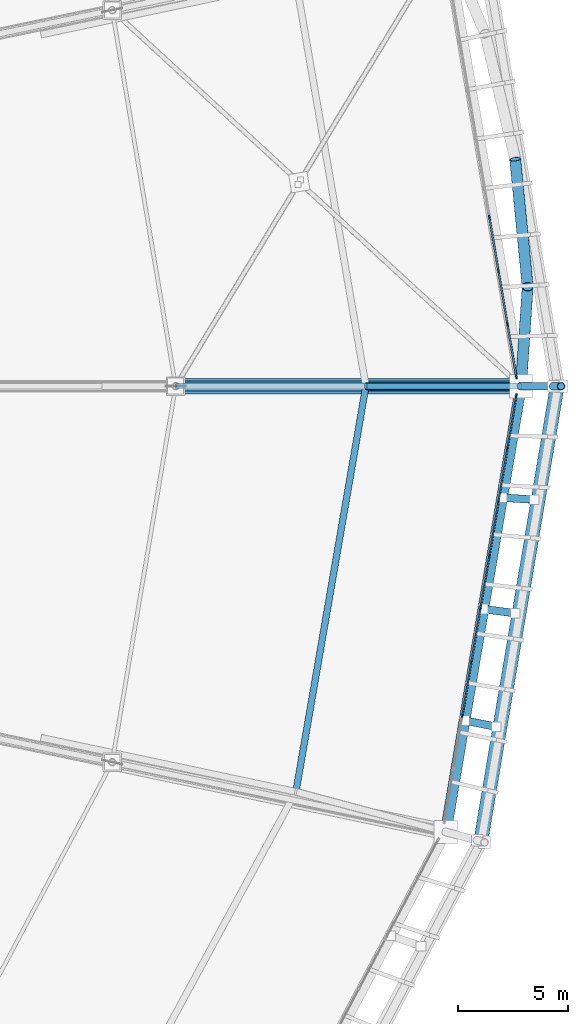
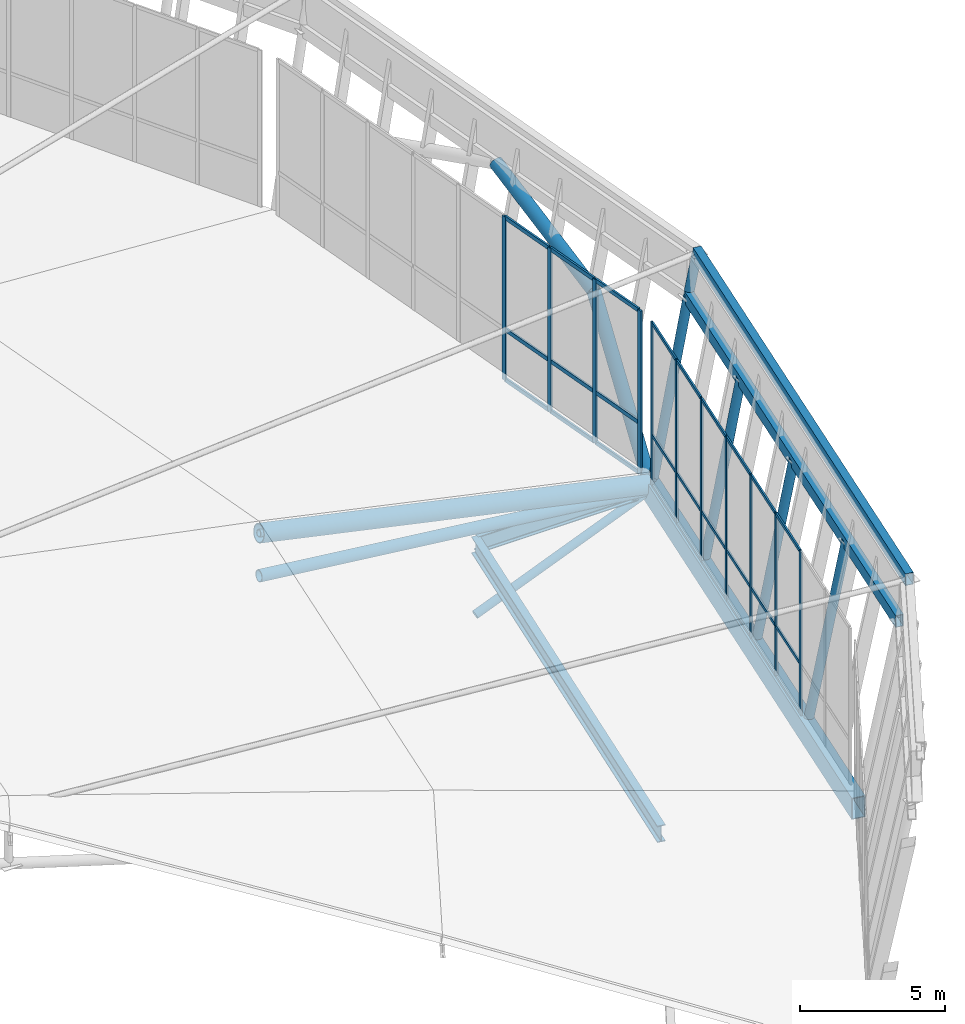
# One storey, part 59 of 115: 49 members, 5 beams, 2 elements without a shape of their own.
"""IFC4 building model written with IfcOpenShell, lengths in metres."""

from ifc_helpers import new_model, si_unit, direction, frame, origin, origin_2d, place, context, subcontext, project, spatial, rectangle, hollow_rectangle, hollow_circle, i_section, extrude, material, material_profile, profile_set, type_object, element, aggregate, save


model = new_model("IFC4")

# Units and contexts
model_context = context("Model", 3, precision=1e-05, world=origin(), true_north=direction((0.0, 1.0)))
body_context = subcontext(model_context, "Body", "Model", "MODEL_VIEW")
ifc_project = project(units=[si_unit("LENGTHUNIT", "METRE"), si_unit("AREAUNIT", "SQUARE_METRE"), si_unit("VOLUMEUNIT", "CUBIC_METRE"), si_unit("PLANEANGLEUNIT", "RADIAN"), si_unit("MASSUNIT", "GRAM", prefix="KILO")], contexts=[model_context])

# Site, building, storey
site_placement = place(None, origin())
site = spatial("IfcSite", under=ifc_project, at=site_placement, CompositionType="ELEMENT")
building_placement = place(site_placement, origin())
building = spatial("IfcBuilding", under=site, at=building_placement, Name="Zlatoyarsky Gate Stadium", CompositionType="ELEMENT")
storey_placement = place(building_placement, frame((0.0, 0.0, 31.800048828125)))
storey = spatial("IfcBuildingStorey", under=building, at=storey_placement, Name="RF", CompositionType="ELEMENT", Elevation=31.800048828125)

# Curtain wall, members
ifc_material_1 = material(Name="Thermally broken anodised aluminium curtain wall", Category="aluminium")
curtain_wall_type_1 = type_object("IfcCurtainWallType", Name="MONUMENTAL ARCHED GATE GLAZING UPPER", PredefinedType="USERDEFINED", material=ifc_material_1)
curtain_wall_1_placement = place(storey_placement, origin())
curtain_wall_1 = element("IfcCurtainWall", 1, at=curtain_wall_1_placement, inside=storey, type_object=curtain_wall_type_1, Name="Curtain wall CW-RF-00", ObjectType="ARCHED GATE GLAZING", PredefinedType="USERDEFINED")
ifc_material_2 = material(Name="Anodised aluminium 6063-T6", Category="aluminium")
ifc_material_profile_1 = material_profile(ifc_material_2, rectangle(XDim=0.074951171875, YDim=0.18994140625, at=origin_2d()), Name="ALU 75X190")
ifc_profile_set_1 = profile_set([ifc_material_profile_1], Name="Anodised aluminium 6063-T6")
member_type_1 = type_object("IfcMemberType", Name="ALUMINIUM GATE MULLION 75X190", PredefinedType="MULLION", material=ifc_profile_set_1)
member_1_placement = place(storey_placement, frame((210.814697265625, 80.431396484375, 0.0), z_axis=(0.0, 0.0, 1.0), x_axis=(-0.986044463486, -0.166482179311, 0.0)))
member_1 = element("IfcMember", 2, at=member_1_placement, type_object=member_type_1, Name="CW-AG2 mullion 1", PredefinedType="MULLION", context=body_context, shape_type="SweptSolid", body=[
    extrude(rectangle(XDim=0.074951171875, YDim=0.18994140625, at=origin_2d()), origin(), (0.0, 0.0, 1.0), 6.89990234375),
])
member_2_placement = place(storey_placement, frame((210.412109375, 82.815673828125, 0.0), z_axis=(0.0, 0.0, 1.0), x_axis=(-0.986044463486, -0.166482179311, 0.0)))
member_2 = element("IfcMember", 3, at=member_2_placement, type_object=member_type_1, Name="CW-AG2 mullion 2", PredefinedType="MULLION", context=body_context, shape_type="SweptSolid", body=[
    extrude(rectangle(XDim=0.074951171875, YDim=0.18994140625, at=origin_2d()), origin(), (0.0, 0.0, 1.0), 6.89990234375),
])
member_3_placement = place(storey_placement, frame((210.00341796875, 85.23681640625, 0.0), z_axis=(0.0, 0.0, 1.0), x_axis=(-0.986044463486, -0.166482179311, 0.0)))
member_3 = element("IfcMember", 4, at=member_3_placement, type_object=member_type_1, Name="CW-AG2 mullion 3", PredefinedType="MULLION", context=body_context, shape_type="SweptSolid", body=[
    extrude(rectangle(XDim=0.074951171875, YDim=0.18994140625, at=origin_2d()), origin(), (0.0, 0.0, 1.0), 6.89990234375),
])
member_4_placement = place(storey_placement, frame((209.594482421875, 87.658203125, 0.0), z_axis=(0.0, 0.0, 1.0), x_axis=(-0.986044463486, -0.166482179311, 0.0)))
member_4 = element("IfcMember", 5, at=member_4_placement, type_object=member_type_1, Name="CW-AG2 mullion 4", PredefinedType="MULLION", context=body_context, shape_type="SweptSolid", body=[
    extrude(rectangle(XDim=0.074951171875, YDim=0.18994140625, at=origin_2d()), origin(), (0.0, 0.0, 1.0), 6.89990234375),
])
ifc_material_profile_2 = material_profile(ifc_material_2, rectangle(XDim=0.074951171875, YDim=0.169921875, at=origin_2d()), Name="ALU 75X170")
ifc_profile_set_2 = profile_set([ifc_material_profile_2], Name="Anodised aluminium 6063-T6")
member_type_2 = type_object("IfcMemberType", Name="ALUMINIUM GATE TRANSOM 75X170", PredefinedType="USERDEFINED", material=ifc_profile_set_2)
member_5_placement = place(storey_placement, frame((210.80859375, 80.46826171875, 0.037353515625), z_axis=(-0.166510761943, 0.986039637214, 0.0), x_axis=(-0.986039637214, -0.166510761943, 0.0)))
member_5 = element("IfcMember", 6, at=member_5_placement, type_object=member_type_2, Name="CW-AG2 transom 1.1", ObjectType="TRANSOM", PredefinedType="USERDEFINED", context=body_context, shape_type="SweptSolid", body=[
    extrude(rectangle(XDim=0.074951171875, YDim=0.169921875, at=origin_2d()), origin(), (0.0, 0.0, 1.0), 2.343017578125),
])
member_6_placement = place(storey_placement, frame((210.80859375, 80.46826171875, 2.14990234375), z_axis=(-0.166510761943, 0.986039637214, 0.0), x_axis=(-0.986039637214, -0.166510761943, 0.0)))
member_6 = element("IfcMember", 7, at=member_6_placement, type_object=member_type_2, Name="CW-AG2 transom 1.2", ObjectType="TRANSOM", PredefinedType="USERDEFINED", context=body_context, shape_type="SweptSolid", body=[
    extrude(rectangle(XDim=0.074951171875, YDim=0.169921875, at=origin_2d()), origin(), (0.0, 0.0, 1.0), 2.343017578125),
])
member_7_placement = place(storey_placement, frame((210.80859375, 80.46826171875, 6.862548828125), z_axis=(-0.166510761943, 0.986039637214, 0.0), x_axis=(-0.986039637214, -0.166510761943, 0.0)))
member_7 = element("IfcMember", 8, at=member_7_placement, type_object=member_type_2, Name="CW-AG2 transom 1.3", ObjectType="TRANSOM", PredefinedType="USERDEFINED", context=body_context, shape_type="SweptSolid", body=[
    extrude(rectangle(XDim=0.074951171875, YDim=0.169921875, at=origin_2d()), origin(), (0.0, 0.0, 1.0), 2.343017578125),
])
member_8_placement = place(storey_placement, frame((210.406005859375, 82.8525390625, 0.037353515625), z_axis=(-0.166543868002, 0.986034046081, 0.0), x_axis=(-0.986034046081, -0.166543868002, 0.0)))
member_8 = element("IfcMember", 9, at=member_8_placement, type_object=member_type_2, Name="CW-AG2 transom 2.1", ObjectType="TRANSOM", PredefinedType="USERDEFINED", context=body_context, shape_type="SweptSolid", body=[
    extrude(rectangle(XDim=0.074951171875, YDim=0.169921875, at=origin_2d()), origin(), (0.0, 0.0, 1.0), 2.380615234375),
])
member_9_placement = place(storey_placement, frame((210.406005859375, 82.8525390625, 2.14990234375), z_axis=(-0.166543868002, 0.986034046081, 0.0), x_axis=(-0.986034046081, -0.166543868002, 0.0)))
member_9 = element("IfcMember", 10, at=member_9_placement, type_object=member_type_2, Name="CW-AG2 transom 2.2", ObjectType="TRANSOM", PredefinedType="USERDEFINED", context=body_context, shape_type="SweptSolid", body=[
    extrude(rectangle(XDim=0.074951171875, YDim=0.169921875, at=origin_2d()), origin(), (0.0, 0.0, 1.0), 2.380615234375),
])
member_10_placement = place(storey_placement, frame((210.406005859375, 82.8525390625, 6.862548828125), z_axis=(-0.166543868002, 0.986034046081, 0.0), x_axis=(-0.986034046081, -0.166543868002, 0.0)))
member_10 = element("IfcMember", 11, at=member_10_placement, type_object=member_type_2, Name="CW-AG2 transom 2.3", ObjectType="TRANSOM", PredefinedType="USERDEFINED", context=body_context, shape_type="SweptSolid", body=[
    extrude(rectangle(XDim=0.074951171875, YDim=0.169921875, at=origin_2d()), origin(), (0.0, 0.0, 1.0), 2.380615234375),
])
member_11_placement = place(storey_placement, frame((209.9970703125, 85.27392578125, 0.037353515625), z_axis=(-0.166460991253, 0.98604804061, 0.0), x_axis=(-0.98604804061, -0.166460991253, 0.0)))
member_11 = element("IfcMember", 12, at=member_11_placement, type_object=member_type_2, Name="CW-AG2 transom 3.1", ObjectType="TRANSOM", PredefinedType="USERDEFINED", context=body_context, shape_type="SweptSolid", body=[
    extrude(rectangle(XDim=0.074951171875, YDim=0.169921875, at=origin_2d()), origin(), (0.0, 0.0, 1.0), 2.38037109375),
])
member_12_placement = place(storey_placement, frame((209.9970703125, 85.27392578125, 2.14990234375), z_axis=(-0.166460991253, 0.98604804061, 0.0), x_axis=(-0.98604804061, -0.166460991253, 0.0)))
member_12 = element("IfcMember", 13, at=member_12_placement, type_object=member_type_2, Name="CW-AG2 transom 3.2", ObjectType="TRANSOM", PredefinedType="USERDEFINED", context=body_context, shape_type="SweptSolid", body=[
    extrude(rectangle(XDim=0.074951171875, YDim=0.169921875, at=origin_2d()), origin(), (0.0, 0.0, 1.0), 2.38037109375),
])
member_13_placement = place(storey_placement, frame((209.9970703125, 85.27392578125, 6.862548828125), z_axis=(-0.166460991253, 0.98604804061, 0.0), x_axis=(-0.98604804061, -0.166460991253, 0.0)))
member_13 = element("IfcMember", 14, at=member_13_placement, type_object=member_type_2, Name="CW-AG2 transom 3.3", ObjectType="TRANSOM", PredefinedType="USERDEFINED", context=body_context, shape_type="SweptSolid", body=[
    extrude(rectangle(XDim=0.074951171875, YDim=0.169921875, at=origin_2d()), origin(), (0.0, 0.0, 1.0), 2.38037109375),
])
aggregate(curtain_wall_1, [member_1, member_2, member_3, member_4, member_5, member_6, member_7, member_8, member_9, member_10, member_11, member_12, member_13])

curtain_wall_type_2 = type_object("IfcCurtainWallType", Name="UNITISED SKYBOX RING GLAZING L05", PredefinedType="USERDEFINED", material=ifc_material_1)
curtain_wall_2_placement = place(storey_placement, origin())
curtain_wall_2 = element("IfcCurtainWall", 15, at=curtain_wall_2_placement, inside=storey, type_object=curtain_wall_type_2, Name="Curtain wall CW-RF-23", ObjectType="UNITISED GLAZING", PredefinedType="USERDEFINED")
ifc_material_profile_3 = material_profile(ifc_material_2, rectangle(XDim=0.06494140625, YDim=0.159912109375, at=origin_2d()), Name="ALU 65X160")
ifc_profile_set_3 = profile_set([ifc_material_profile_3], Name="Anodised aluminium 6063-T6")
member_type_3 = type_object("IfcMemberType", Name="ALUMINIUM MULLION 65X160", PredefinedType="MULLION", material=ifc_profile_set_3)
member_14_placement = place(storey_placement, frame((208.3681640625, 65.078125, 0.0), z_axis=(0.0, 0.0, 1.0), x_axis=(-0.986044463486, 0.166482179311, 0.0)))
member_14 = element("IfcMember", 16, at=member_14_placement, type_object=member_type_3, Name="CW-UG5 mullion 3", PredefinedType="MULLION", context=body_context, shape_type="SweptSolid", body=[
    extrude(rectangle(XDim=0.06494140625, YDim=0.159912109375, at=origin_2d()), origin(), (0.0, 0.0, 1.0), 6.89990234375),
])
member_15_placement = place(storey_placement, frame((208.777099609375, 67.499267578125, 0.0), z_axis=(0.0, 0.0, 1.0), x_axis=(-0.986044463486, 0.166482179311, 0.0)))
member_15 = element("IfcMember", 17, at=member_15_placement, type_object=member_type_3, Name="CW-UG5 mullion 4", PredefinedType="MULLION", context=body_context, shape_type="SweptSolid", body=[
    extrude(rectangle(XDim=0.06494140625, YDim=0.159912109375, at=origin_2d()), origin(), (0.0, 0.0, 1.0), 6.89990234375),
])
member_16_placement = place(storey_placement, frame((209.185791015625, 69.920654296875, 0.0), z_axis=(0.0, 0.0, 1.0), x_axis=(-0.986044463486, 0.166482179311, 0.0)))
member_16 = element("IfcMember", 18, at=member_16_placement, type_object=member_type_3, Name="CW-UG5 mullion 5", PredefinedType="MULLION", context=body_context, shape_type="SweptSolid", body=[
    extrude(rectangle(XDim=0.06494140625, YDim=0.159912109375, at=origin_2d()), origin(), (0.0, 0.0, 1.0), 6.89990234375),
])
member_17_placement = place(storey_placement, frame((209.594482421875, 72.341796875, 0.0), z_axis=(0.0, 0.0, 1.0), x_axis=(-0.986044463486, 0.166482179311, 0.0)))
member_17 = element("IfcMember", 19, at=member_17_placement, type_object=member_type_3, Name="CW-UG5 mullion 6", PredefinedType="MULLION", context=body_context, shape_type="SweptSolid", body=[
    extrude(rectangle(XDim=0.06494140625, YDim=0.159912109375, at=origin_2d()), origin(), (0.0, 0.0, 1.0), 6.89990234375),
])
member_18_placement = place(storey_placement, frame((210.00341796875, 74.76318359375, 0.0), z_axis=(0.0, 0.0, 1.0), x_axis=(-0.986044463486, 0.166482179311, 0.0)))
member_18 = element("IfcMember", 20, at=member_18_placement, type_object=member_type_3, Name="CW-UG5 mullion 7", PredefinedType="MULLION", context=body_context, shape_type="SweptSolid", body=[
    extrude(rectangle(XDim=0.06494140625, YDim=0.159912109375, at=origin_2d()), origin(), (0.0, 0.0, 1.0), 6.89990234375),
])
member_19_placement = place(storey_placement, frame((210.412109375, 77.184326171875, 0.0), z_axis=(0.0, 0.0, 1.0), x_axis=(-0.986044463486, 0.166482179311, 0.0)))
member_19 = element("IfcMember", 21, at=member_19_placement, type_object=member_type_3, Name="CW-UG5 mullion 8", PredefinedType="MULLION", context=body_context, shape_type="SweptSolid", body=[
    extrude(rectangle(XDim=0.06494140625, YDim=0.159912109375, at=origin_2d()), origin(), (0.0, 0.0, 1.0), 6.89990234375),
])
member_20_placement = place(storey_placement, frame((210.815673828125, 79.573486328125, 0.0), z_axis=(0.0, 0.0, 1.0), x_axis=(-0.986044463486, 0.166482179311, 0.0)))
member_20 = element("IfcMember", 22, at=member_20_placement, type_object=member_type_3, Name="CW-UG5 mullion 9", PredefinedType="MULLION", context=body_context, shape_type="SweptSolid", body=[
    extrude(rectangle(XDim=0.06494140625, YDim=0.159912109375, at=origin_2d()), origin(), (0.0, 0.0, 1.0), 6.89990234375),
])
ifc_material_profile_4 = material_profile(ifc_material_2, rectangle(XDim=0.06494140625, YDim=0.139892578125, at=origin_2d()), Name="ALU 65X140")
ifc_profile_set_4 = profile_set([ifc_material_profile_4], Name="Anodised aluminium 6063-T6")
member_type_4 = type_object("IfcMemberType", Name="ALUMINIUM TRANSOM 65X140", PredefinedType="USERDEFINED", material=ifc_profile_set_4)
member_21_placement = place(storey_placement, frame((208.37353515625, 65.110107421875, 0.032470703125), z_axis=(0.166468789266, 0.986046724147, 0.0), x_axis=(-0.986046724147, 0.166468789266, 0.0)))
member_21 = element("IfcMember", 23, at=member_21_placement, type_object=member_type_4, Name="CW-UG5 transom 3.1", ObjectType="TRANSOM", PredefinedType="USERDEFINED", context=body_context, shape_type="SweptSolid", body=[
    extrude(rectangle(XDim=0.06494140625, YDim=0.139892578125, at=origin_2d()), origin(), (0.0, 0.0, 1.0), 2.390625),
])
member_22_placement = place(storey_placement, frame((208.37353515625, 65.110107421875, 2.14990234375), z_axis=(0.166468789266, 0.986046724147, 0.0), x_axis=(-0.986046724147, 0.166468789266, 0.0)))
member_22 = element("IfcMember", 24, at=member_22_placement, type_object=member_type_4, Name="CW-UG5 transom 3.2", ObjectType="TRANSOM", PredefinedType="USERDEFINED", context=body_context, shape_type="SweptSolid", body=[
    extrude(rectangle(XDim=0.06494140625, YDim=0.139892578125, at=origin_2d()), origin(), (0.0, 0.0, 1.0), 2.390625),
])
member_23_placement = place(storey_placement, frame((208.37353515625, 65.110107421875, 6.867431640625), z_axis=(0.166468789266, 0.986046724147, 0.0), x_axis=(-0.986046724147, 0.166468789266, 0.0)))
member_23 = element("IfcMember", 25, at=member_23_placement, type_object=member_type_4, Name="CW-UG5 transom 3.3", ObjectType="TRANSOM", PredefinedType="USERDEFINED", context=body_context, shape_type="SweptSolid", body=[
    extrude(rectangle(XDim=0.06494140625, YDim=0.139892578125, at=origin_2d()), origin(), (0.0, 0.0, 1.0), 2.390625),
])
member_24_placement = place(storey_placement, frame((208.782470703125, 67.531494140625, 0.032470703125), z_axis=(0.166468789266, 0.986046724147, 0.0), x_axis=(-0.986046724147, 0.166468789266, 0.0)))
member_24 = element("IfcMember", 26, at=member_24_placement, type_object=member_type_4, Name="CW-UG5 transom 4.1", ObjectType="TRANSOM", PredefinedType="USERDEFINED", context=body_context, shape_type="SweptSolid", body=[
    extrude(rectangle(XDim=0.06494140625, YDim=0.139892578125, at=origin_2d()), origin(), (0.0, 0.0, 1.0), 2.390625),
])
member_25_placement = place(storey_placement, frame((208.782470703125, 67.531494140625, 2.14990234375), z_axis=(0.166468789266, 0.986046724147, 0.0), x_axis=(-0.986046724147, 0.166468789266, 0.0)))
member_25 = element("IfcMember", 27, at=member_25_placement, type_object=member_type_4, Name="CW-UG5 transom 4.2", ObjectType="TRANSOM", PredefinedType="USERDEFINED", context=body_context, shape_type="SweptSolid", body=[
    extrude(rectangle(XDim=0.06494140625, YDim=0.139892578125, at=origin_2d()), origin(), (0.0, 0.0, 1.0), 2.390625),
])
member_26_placement = place(storey_placement, frame((208.782470703125, 67.531494140625, 6.867431640625), z_axis=(0.166468789266, 0.986046724147, 0.0), x_axis=(-0.986046724147, 0.166468789266, 0.0)))
member_26 = element("IfcMember", 28, at=member_26_placement, type_object=member_type_4, Name="CW-UG5 transom 4.3", ObjectType="TRANSOM", PredefinedType="USERDEFINED", context=body_context, shape_type="SweptSolid", body=[
    extrude(rectangle(XDim=0.06494140625, YDim=0.139892578125, at=origin_2d()), origin(), (0.0, 0.0, 1.0), 2.390625),
])
member_27_placement = place(storey_placement, frame((209.191162109375, 69.95263671875, 0.032470703125), z_axis=(0.166468789266, 0.986046724147, 0.0), x_axis=(-0.986046724147, 0.166468789266, 0.0)))
member_27 = element("IfcMember", 29, at=member_27_placement, type_object=member_type_4, Name="CW-UG5 transom 5.1", ObjectType="TRANSOM", PredefinedType="USERDEFINED", context=body_context, shape_type="SweptSolid", body=[
    extrude(rectangle(XDim=0.06494140625, YDim=0.139892578125, at=origin_2d()), origin(), (0.0, 0.0, 1.0), 2.390625),
])
member_28_placement = place(storey_placement, frame((209.191162109375, 69.95263671875, 2.14990234375), z_axis=(0.166468789266, 0.986046724147, 0.0), x_axis=(-0.986046724147, 0.166468789266, 0.0)))
member_28 = element("IfcMember", 30, at=member_28_placement, type_object=member_type_4, Name="CW-UG5 transom 5.2", ObjectType="TRANSOM", PredefinedType="USERDEFINED", context=body_context, shape_type="SweptSolid", body=[
    extrude(rectangle(XDim=0.06494140625, YDim=0.139892578125, at=origin_2d()), origin(), (0.0, 0.0, 1.0), 2.390625),
])
member_29_placement = place(storey_placement, frame((209.191162109375, 69.95263671875, 6.867431640625), z_axis=(0.166468789266, 0.986046724147, 0.0), x_axis=(-0.986046724147, 0.166468789266, 0.0)))
member_29 = element("IfcMember", 31, at=member_29_placement, type_object=member_type_4, Name="CW-UG5 transom 5.3", ObjectType="TRANSOM", PredefinedType="USERDEFINED", context=body_context, shape_type="SweptSolid", body=[
    extrude(rectangle(XDim=0.06494140625, YDim=0.139892578125, at=origin_2d()), origin(), (0.0, 0.0, 1.0), 2.390625),
])
member_30_placement = place(storey_placement, frame((209.60009765625, 72.373779296875, 0.032470703125), z_axis=(0.166468789266, 0.986046724147, 0.0), x_axis=(-0.986046724147, 0.166468789266, 0.0)))
member_30 = element("IfcMember", 32, at=member_30_placement, type_object=member_type_4, Name="CW-UG5 transom 6.1", ObjectType="TRANSOM", PredefinedType="USERDEFINED", context=body_context, shape_type="SweptSolid", body=[
    extrude(rectangle(XDim=0.06494140625, YDim=0.139892578125, at=origin_2d()), origin(), (0.0, 0.0, 1.0), 2.390625),
])
member_31_placement = place(storey_placement, frame((209.60009765625, 72.373779296875, 2.14990234375), z_axis=(0.166468789266, 0.986046724147, 0.0), x_axis=(-0.986046724147, 0.166468789266, 0.0)))
member_31 = element("IfcMember", 33, at=member_31_placement, type_object=member_type_4, Name="CW-UG5 transom 6.2", ObjectType="TRANSOM", PredefinedType="USERDEFINED", context=body_context, shape_type="SweptSolid", body=[
    extrude(rectangle(XDim=0.06494140625, YDim=0.139892578125, at=origin_2d()), origin(), (0.0, 0.0, 1.0), 2.390625),
])
member_32_placement = place(storey_placement, frame((209.60009765625, 72.373779296875, 6.867431640625), z_axis=(0.166468789266, 0.986046724147, 0.0), x_axis=(-0.986046724147, 0.166468789266, 0.0)))
member_32 = element("IfcMember", 34, at=member_32_placement, type_object=member_type_4, Name="CW-UG5 transom 6.3", ObjectType="TRANSOM", PredefinedType="USERDEFINED", context=body_context, shape_type="SweptSolid", body=[
    extrude(rectangle(XDim=0.06494140625, YDim=0.139892578125, at=origin_2d()), origin(), (0.0, 0.0, 1.0), 2.390625),
])
member_33_placement = place(storey_placement, frame((210.0087890625, 74.795166015625, 0.032470703125), z_axis=(0.166468789266, 0.986046724147, 0.0), x_axis=(-0.986046724147, 0.166468789266, 0.0)))
member_33 = element("IfcMember", 35, at=member_33_placement, type_object=member_type_4, Name="CW-UG5 transom 7.1", ObjectType="TRANSOM", PredefinedType="USERDEFINED", context=body_context, shape_type="SweptSolid", body=[
    extrude(rectangle(XDim=0.06494140625, YDim=0.139892578125, at=origin_2d()), origin(), (0.0, 0.0, 1.0), 2.390625),
])
member_34_placement = place(storey_placement, frame((210.0087890625, 74.795166015625, 2.14990234375), z_axis=(0.166468789266, 0.986046724147, 0.0), x_axis=(-0.986046724147, 0.166468789266, 0.0)))
member_34 = element("IfcMember", 36, at=member_34_placement, type_object=member_type_4, Name="CW-UG5 transom 7.2", ObjectType="TRANSOM", PredefinedType="USERDEFINED", context=body_context, shape_type="SweptSolid", body=[
    extrude(rectangle(XDim=0.06494140625, YDim=0.139892578125, at=origin_2d()), origin(), (0.0, 0.0, 1.0), 2.390625),
])
member_35_placement = place(storey_placement, frame((210.0087890625, 74.795166015625, 6.867431640625), z_axis=(0.166468789266, 0.986046724147, 0.0), x_axis=(-0.986046724147, 0.166468789266, 0.0)))
member_35 = element("IfcMember", 37, at=member_35_placement, type_object=member_type_4, Name="CW-UG5 transom 7.3", ObjectType="TRANSOM", PredefinedType="USERDEFINED", context=body_context, shape_type="SweptSolid", body=[
    extrude(rectangle(XDim=0.06494140625, YDim=0.139892578125, at=origin_2d()), origin(), (0.0, 0.0, 1.0), 2.390625),
])
member_36_placement = place(storey_placement, frame((210.417724609375, 77.21630859375, 0.032470703125), z_axis=(0.166379800687, 0.986061743464, 0.0), x_axis=(-0.986061743464, 0.166379800687, 0.0)))
member_36 = element("IfcMember", 38, at=member_36_placement, type_object=member_type_4, Name="CW-UG5 transom 8.1", ObjectType="TRANSOM", PredefinedType="USERDEFINED", context=body_context, shape_type="SweptSolid", body=[
    extrude(rectangle(XDim=0.06494140625, YDim=0.139892578125, at=origin_2d()), origin(), (0.0, 0.0, 1.0), 2.358154296875),
])
member_37_placement = place(storey_placement, frame((210.417724609375, 77.21630859375, 2.14990234375), z_axis=(0.166379800687, 0.986061743464, 0.0), x_axis=(-0.986061743464, 0.166379800687, 0.0)))
member_37 = element("IfcMember", 39, at=member_37_placement, type_object=member_type_4, Name="CW-UG5 transom 8.2", ObjectType="TRANSOM", PredefinedType="USERDEFINED", context=body_context, shape_type="SweptSolid", body=[
    extrude(rectangle(XDim=0.06494140625, YDim=0.139892578125, at=origin_2d()), origin(), (0.0, 0.0, 1.0), 2.358154296875),
])
member_38_placement = place(storey_placement, frame((210.417724609375, 77.21630859375, 6.867431640625), z_axis=(0.166379800687, 0.986061743464, 0.0), x_axis=(-0.986061743464, 0.166379800687, 0.0)))
member_38 = element("IfcMember", 40, at=member_38_placement, type_object=member_type_4, Name="CW-UG5 transom 8.3", ObjectType="TRANSOM", PredefinedType="USERDEFINED", context=body_context, shape_type="SweptSolid", body=[
    extrude(rectangle(XDim=0.06494140625, YDim=0.139892578125, at=origin_2d()), origin(), (0.0, 0.0, 1.0), 2.358154296875),
])
aggregate(curtain_wall_2, [member_14, member_15, member_16, member_17, member_18, member_19, member_20, member_21, member_22, member_23, member_24, member_25, member_26, member_27, member_28, member_29, member_30, member_31, member_32, member_33, member_34, member_35, member_36, member_37, member_38])

# Members
ifc_material_3 = material(Name="Steel S355", Category="steel")
ifc_material_profile_5 = material_profile(ifc_material_3, hollow_circle(Radius=0.228515625, WallThickness=0.02490234375, at=origin_2d()), Name="CHS 457X25")
ifc_profile_set_5 = profile_set([ifc_material_profile_5], Name="Steel S355")
member_type_5 = type_object("IfcMemberType", Name="STEEL ARCH BOTTOM CHORD CHS 457X25", PredefinedType="CHORD", material=ifc_profile_set_5)
member_39_placement = place(storey_placement, frame((211.027587890625, 80.0, -0.449951171875), z_axis=(-0.99344724285, 0.0, 0.114291625561), x_axis=(0.0, -1.0, 0.0)))
element("IfcMember", 41, at=member_39_placement, inside=storey, type_object=member_type_5, Name="Radial truss R01 bottom chord 1", PredefinedType="CHORD", context=body_context, shape_type="SweptSolid", body=[
    extrude(hollow_circle(Radius=0.228515625, WallThickness=0.02490234375, at=origin_2d()), origin(), (0.0, 0.0, 1.0), 15.74755859375),
])
ifc_material_profile_6 = material_profile(ifc_material_3, hollow_circle(Radius=0.25390625, WallThickness=0.02490234375, at=origin_2d()), Name="CHS 508X25")
ifc_profile_set_6 = profile_set([ifc_material_profile_6], Name="Steel S355")
member_type_6 = type_object("IfcMemberType", Name="STEEL ARCH TOP CHORD CHS 508X25", PredefinedType="CHORD", material=ifc_profile_set_6)
member_40_placement = place(storey_placement, frame((211.027587890625, 80.0, -0.449951171875), z_axis=(0.042754597563, 0.632946474041, 0.773014104261), x_axis=(-0.997726376343, 0.067394940091, 0.0)))
element("IfcMember", 42, at=member_40_placement, inside=storey, type_object=member_type_6, Name="Monumental gate portal arch chord 00-1", PredefinedType="CHORD", context=body_context, shape_type="SweptSolid", body=[
    extrude(hollow_circle(Radius=0.25390625, WallThickness=0.02490234375, at=origin_2d()), origin(), (0.0, 0.0, 1.0), 7.114990234375),
])
member_41_placement = place(storey_placement, frame((211.331787109375, 84.50341796875, 5.050048828125), z_axis=(-0.09154052463, 0.936028532383, 0.339810121856), x_axis=(-0.995251931912, -0.097332379125, 0.0)))
element("IfcMember", 43, at=member_41_placement, inside=storey, type_object=member_type_6, Name="Monumental gate portal arch chord 00-2", PredefinedType="CHORD", context=body_context, shape_type="SweptSolid", body=[
    extrude(hollow_circle(Radius=0.25390625, WallThickness=0.02490234375, at=origin_2d()), origin(), (0.0, 0.0, 1.0), 6.179443359375),
])
ifc_material_profile_7 = material_profile(ifc_material_3, hollow_circle(Radius=0.35546875, WallThickness=0.031982421875, at=origin_2d()), Name="CHS 711X32")
ifc_profile_set_7 = profile_set([ifc_material_profile_7], Name="Steel S355")
member_type_7 = type_object("IfcMemberType", Name="STEEL ARCH TOP CHORD CHS 711X32", PredefinedType="CHORD", material=ifc_profile_set_7)
member_42_placement = place(storey_placement, frame((211.027587890625, 80.0, -0.25), z_axis=(-0.977189712419, 0.0, 0.21236823195), x_axis=(0.0, -1.0, 0.0)))
element("IfcMember", 44, at=member_42_placement, inside=storey, type_object=member_type_7, Name="Radial truss R01 top chord 1", PredefinedType="CHORD", context=body_context, shape_type="SweptSolid", body=[
    extrude(hollow_circle(Radius=0.35546875, WallThickness=0.031982421875, at=origin_2d()), origin(), (0.0, 0.0, 1.0), 16.009521484375),
])
ifc_material_profile_8 = material_profile(ifc_material_3, hollow_circle(Radius=0.177734375, WallThickness=0.02001953125, at=origin_2d()), Name="CHS 355.6X20")
ifc_profile_set_8 = profile_set([ifc_material_profile_8], Name="Steel S355")
member_type_8 = type_object("IfcMemberType", Name="STEEL LEANING RIB RING STRUT CHS 355.6X20", PredefinedType="STRUT", material=ifc_profile_set_8)
member_43_placement = place(storey_placement, frame((211.027587890625, 80.0, -0.449951171875), z_axis=(0.189627638022, 0.0, 0.981856078506), x_axis=(0.0, 1.0, 0.0)))
element("IfcMember", 45, at=member_43_placement, inside=storey, type_object=member_type_8, Name="Outward-leaning crown fascia lower post 00", PredefinedType="STRUT", context=body_context, shape_type="SweptSolid", body=[
    extrude(hollow_circle(Radius=0.177734375, WallThickness=0.02001953125, at=origin_2d()), origin(), (0.0, 0.0, 1.0), 7.740234375),
])
member_44_placement = place(storey_placement, frame((212.495361328125, 80.0, 7.14990234375), z_axis=(0.201037606768, 0.0, 0.979583524088), x_axis=(0.0, 1.0, 0.0)))
element("IfcMember", 46, at=member_44_placement, inside=storey, type_object=member_type_8, Name="Outward-leaning crown fascia upper post 00", PredefinedType="STRUT", context=body_context, shape_type="SweptSolid", body=[
    extrude(hollow_circle(Radius=0.177734375, WallThickness=0.02001953125, at=origin_2d()), origin(), (0.0, 0.0, 1.0), 1.7353515625),
])
member_45_placement = place(storey_placement, frame((208.47119140625, 64.853759765625, -0.449951171875), z_axis=(0.18484356821, -0.036817280099, 0.982078073871), x_axis=(0.195343507501, 0.980734884705, 0.0)))
element("IfcMember", 47, at=member_45_placement, inside=storey, type_object=member_type_8, Name="Outward-leaning bowl louvre fin rib RF 23-1", PredefinedType="STRUT", context=body_context, shape_type="SweptSolid", body=[
    extrude(hollow_circle(Radius=0.177734375, WallThickness=0.02001953125, at=origin_2d()), origin(), (0.0, 0.0, 1.0), 7.738525390625),
])
member_46_placement = place(storey_placement, frame((209.323486328125, 69.902587890625, -0.449951171875), z_axis=(0.186436463482, -0.024578440523, 0.982159531515), x_axis=(0.130701897913, 0.991421713441, 0.0)))
element("IfcMember", 48, at=member_46_placement, inside=storey, type_object=member_type_8, Name="Outward-leaning bowl louvre fin rib RF 23-2", PredefinedType="STRUT", context=body_context, shape_type="SweptSolid", body=[
    extrude(hollow_circle(Radius=0.177734375, WallThickness=0.02001953125, at=origin_2d()), origin(), (0.0, 0.0, 1.0), 7.73779296875),
])
member_47_placement = place(storey_placement, frame((210.175537109375, 74.951171875, -0.449951171875), z_axis=(0.188031559001, -0.012272529606, 0.982086308751), x_axis=(0.065129878095, 0.997876795491, 0.0)))
element("IfcMember", 49, at=member_47_placement, inside=storey, type_object=member_type_8, Name="Outward-leaning bowl louvre fin rib RF 23-3", PredefinedType="STRUT", context=body_context, shape_type="SweptSolid", body=[
    extrude(hollow_circle(Radius=0.177734375, WallThickness=0.02001953125, at=origin_2d()), origin(), (0.0, 0.0, 1.0), 7.738525390625),
])

# Beams
ifc_material_profile_9 = material_profile(ifc_material_3, hollow_rectangle(XDim=0.300048828125, YDim=0.5, WallThickness=0.02001953125, at=origin_2d()), Name="RHS 500X300X20")
ifc_profile_set_9 = profile_set([ifc_material_profile_9], Name="Steel S355")
beam_type_1 = type_object("IfcBeamType", Name="STEEL LOUVRE CARRIER SPANDREL RHS 500X300X20", PredefinedType="SPANDREL", material=ifc_profile_set_9)
beam_1_placement = place(storey_placement, frame((209.036865234375, 59.425048828125, 7.14990234375), z_axis=(0.165766985081, 0.986164949011, 0.0), x_axis=(-0.986164949011, 0.165766985081, 0.0)))
element("IfcBeam", 50, at=beam_1_placement, inside=storey, type_object=beam_type_1, Name="Crown eaves fascia bottom carrier spandrel 23", PredefinedType="SPANDREL", context=body_context, shape_type="SweptSolid", body=[
    extrude(hollow_rectangle(XDim=0.300048828125, YDim=0.5, WallThickness=0.02001953125, at=origin_2d()), origin(), (0.0, 0.0, 1.0), 20.863525390625),
])
beam_2_placement = place(storey_placement, frame((209.373779296875, 59.334716796875, 8.849853515625), z_axis=(0.165617482559, 0.986190067619, 0.0), x_axis=(-0.986190067619, 0.165617482559, 0.0)))
element("IfcBeam", 51, at=beam_2_placement, inside=storey, type_object=beam_type_1, Name="Crown fascia top carrier spandrel 23", PredefinedType="SPANDREL", context=body_context, shape_type="SweptSolid", body=[
    extrude(hollow_rectangle(XDim=0.300048828125, YDim=0.5, WallThickness=0.02001953125, at=origin_2d()), origin(), (0.0, 0.0, 1.0), 20.95458984375),
])
ifc_material_profile_10 = material_profile(ifc_material_3, hollow_rectangle(XDim=0.5, YDim=0.89990234375, WallThickness=0.028076171875, at=origin_2d()), Name="RHS 900X500X28")
ifc_profile_set_10 = profile_set([ifc_material_profile_10], Name="Steel S355")
beam_type_2 = type_object("IfcBeamType", Name="STEEL OUTER COMPRESSION RING BEAM RHS 900X500X28", PredefinedType="USERDEFINED", material=ifc_profile_set_10)
beam_3_placement = place(storey_placement, frame((207.619140625, 59.804931640625, -0.449951171875), z_axis=(0.166422554359, 0.986054528614, 0.0), x_axis=(-0.986054528614, 0.166422554359, 0.0)))
element("IfcBeam", 52, at=beam_3_placement, inside=storey, type_object=beam_type_2, Name="Outer compression ring beam 23", ObjectType="RING BEAM", PredefinedType="USERDEFINED", context=body_context, shape_type="SweptSolid", body=[
    extrude(hollow_rectangle(XDim=0.5, YDim=0.89990234375, WallThickness=0.028076171875, at=origin_2d()), origin(), (0.0, 0.0, 1.0), 20.480712890625),
])
ifc_material_profile_11 = material_profile(ifc_material_3, i_section(OverallWidth=0.300048828125, OverallDepth=0.699951171875, WebThickness=0.01708984375, FlangeThickness=0.031982421875, FilletRadius=0.027099609375, at=origin_2d()), Name="HEB 700")
ifc_profile_set_11 = profile_set([ifc_material_profile_11], Name="Steel S355")
beam_type_3 = type_object("IfcBeamType", Name="STEEL ROOF RING GIRDER HEB 700", PredefinedType="BEAM", material=ifc_profile_set_11)
beam_4_placement = place(storey_placement, frame((204.0400390625, 80.0, -0.300048828125), z_axis=(1.0, 0.0, 0.0), x_axis=(0.0, 1.0, 0.0)))
element("IfcBeam", 53, at=beam_4_placement, inside=storey, type_object=beam_type_3, Name="RF roof tie girder BM-RF-COUT-00", PredefinedType="BEAM", context=body_context, shape_type="SweptSolid", body=[
    extrude(i_section(OverallWidth=0.300048828125, OverallDepth=0.699951171875, WebThickness=0.01708984375, FlangeThickness=0.031982421875, FilletRadius=0.027099609375, at=origin_2d()), origin(), (0.0, 0.0, 1.0), 6.987548828125),
])
beam_5_placement = place(storey_placement, frame((200.837890625, 61.6630859375, -0.300048828125), z_axis=(0.169933775621, 0.985455484486, 0.0), x_axis=(-0.985455484486, 0.169933775621, 0.0)))
element("IfcBeam", 54, at=beam_5_placement, inside=storey, type_object=beam_type_3, Name="RF roof tie girder BM-RF-CRC-23", PredefinedType="BEAM", context=body_context, shape_type="SweptSolid", body=[
    extrude(i_section(OverallWidth=0.300048828125, OverallDepth=0.699951171875, WebThickness=0.01708984375, FlangeThickness=0.031982421875, FilletRadius=0.027099609375, at=origin_2d()), origin(), (0.0, 0.0, 1.0), 18.567626953125),
])

# Members
ifc_material_profile_12 = material_profile(ifc_material_3, hollow_circle(Radius=0.136474609375, WallThickness=0.01611328125, at=origin_2d()), Name="CHS 273X16")
ifc_profile_set_12 = profile_set([ifc_material_profile_12], Name="Steel S355")
member_type_9 = type_object("IfcMemberType", Name="STEEL ROOF TRUSS DIAGONAL CHS 273X16", PredefinedType="BRACE", material=ifc_profile_set_12)
member_48_placement = place(storey_placement, frame((211.027587890625, 80.0, -0.449951171875), z_axis=(-0.974532491229, 0.0, 0.224246345654), x_axis=(0.0, -1.0, 0.0)))
element("IfcMember", 55, at=member_48_placement, inside=storey, type_object=member_type_9, Name="Radial truss R01 web diagonal 1", PredefinedType="BRACE", context=body_context, shape_type="SweptSolid", body=[
    extrude(hollow_circle(Radius=0.136474609375, WallThickness=0.01611328125, at=origin_2d()), origin(), (0.0, 0.0, 1.0), 16.05322265625),
])
ifc_material_profile_13 = material_profile(ifc_material_3, hollow_circle(Radius=0.161865234375, WallThickness=0.01611328125, at=origin_2d()), Name="CHS 323.9X16")
ifc_profile_set_13 = profile_set([ifc_material_profile_13], Name="Steel S355")
member_type_10 = type_object("IfcMemberType", Name="STEEL TRUSS WEB STRUT CHS 323.9X16", PredefinedType="STRUT", material=ifc_profile_set_13)
member_49_placement = place(storey_placement, frame((204.0, 80.0, -3.300048828125), z_axis=(0.926689879349, 0.0, 0.375826911639), x_axis=(0.0, 1.0, 0.0)))
element("IfcMember", 56, at=member_49_placement, inside=storey, type_object=member_type_10, Name="Arch heel prop 00", PredefinedType="STRUT", context=body_context, shape_type="SweptSolid", body=[
    extrude(hollow_circle(Radius=0.161865234375, WallThickness=0.01611328125, at=origin_2d()), origin(), (0.0, 0.0, 1.0), 7.58349609375),
])

save(model, "model.ifc")
